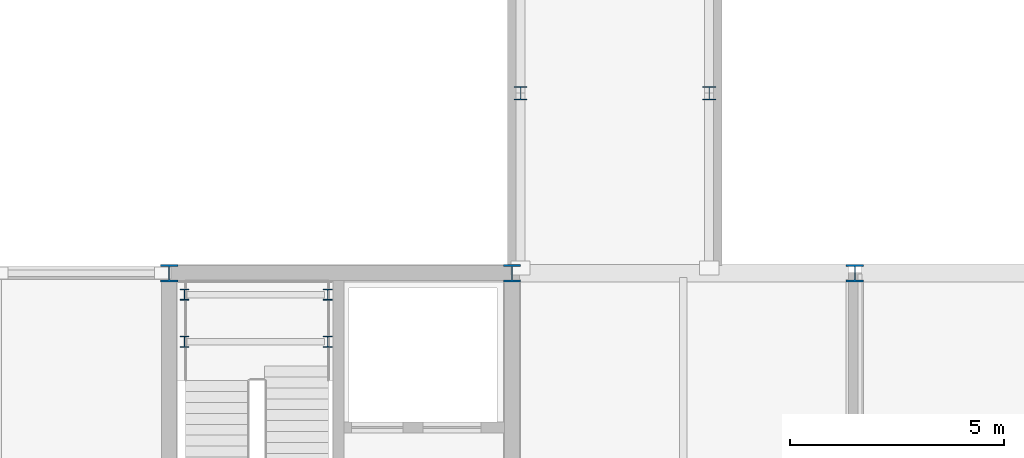
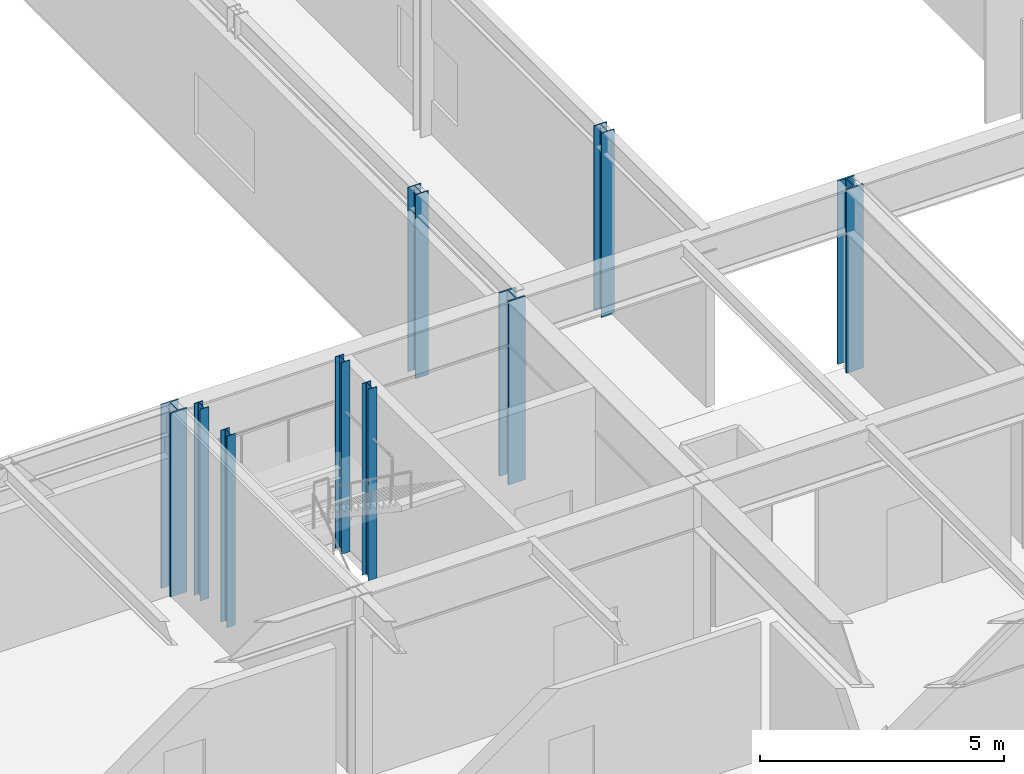
# One storey, part 4 of 104: 9 columns.
"""IFC4 building model written with IfcOpenShell, lengths in metres."""

from ifc_helpers import new_model, si_unit, direction, frame, origin, origin_2d, place, context, subcontext, project, spatial, i_section, extrude, material, material_profile, profile_set, type_object, element, save


model = new_model("IFC4")

# Units and contexts
model_context = context("Model", 3, precision=1e-05, world=origin(), true_north=direction((0.0, 1.0)))
body_context = subcontext(model_context, "Body", "Model", "MODEL_VIEW")
ifc_project = project(units=[si_unit("LENGTHUNIT", "METRE"), si_unit("AREAUNIT", "SQUARE_METRE"), si_unit("VOLUMEUNIT", "CUBIC_METRE"), si_unit("PLANEANGLEUNIT", "RADIAN"), si_unit("MASSUNIT", "GRAM", prefix="KILO")], contexts=[model_context])

# Site, building, storey
site_placement = place(None, origin())
site = spatial("IfcSite", under=ifc_project, at=site_placement, CompositionType="ELEMENT")
building_placement = place(site_placement, origin())
building = spatial("IfcBuilding", under=site, at=building_placement, Name="Zulena Civic Courthouse", CompositionType="ELEMENT")
storey_placement = place(building_placement, frame((0.0, 0.0, 10.800048828125)))
storey = spatial("IfcBuildingStorey", under=building, at=storey_placement, Name="L02", CompositionType="ELEMENT", Elevation=10.800048828125)

# Columns
ifc_material = material(Name="Steel ASTM A992 Grade 50", Category="steel")
ifc_material_profile_1 = material_profile(ifc_material, i_section(OverallWidth=0.2041015625, OverallDepth=0.257080078125, WebThickness=0.0087890625, FlangeThickness=0.015625, FilletRadius=0.0126953125, at=origin_2d()), Name="W10X45")
ifc_profile_set_1 = profile_set([ifc_material_profile_1], Name="Steel ASTM A992 Grade 50")
column_type_1 = type_object("IfcColumnType", Name="Col_W10X45", PredefinedType="COLUMN", material=ifc_profile_set_1)
for number, where, z_axis, x_axis, name in (
    (1, (44.360107421875, 21.199951171875, 0.0), (0.0, 0.0, 1.0), (1.0, 0.0, 0.0), "col:lnd:K2B:L02:0:0"),
    (2, (47.699951171875, 21.199951171875, 0.0), (0.0, 0.0, 1.0), (1.0, 0.0, 0.0), "col:lnd:K2B:L02:0:1"),
    (3, (44.360107421875, 22.300048828125, 0.0), (0.0, 0.0, 1.0), (1.0, 0.0, 0.0), "col:lnd:K2B:L02:1:0"),
    (4, (47.699951171875, 22.300048828125, 0.0), (0.0, 0.0, 1.0), (1.0, 0.0, 0.0), "col:lnd:K2B:L02:1:1"),
):
    element("IfcColumn", number, at=place(storey_placement, frame(where, z_axis=z_axis, x_axis=x_axis)), inside=storey, type_object=column_type_1, Name=name, PredefinedType="COLUMN", context=body_context, shape_type="SweptSolid", body=[
        extrude(i_section(OverallWidth=0.2041015625, OverallDepth=0.257080078125, WebThickness=0.0087890625, FlangeThickness=0.015625, FilletRadius=0.0126953125, at=origin_2d()), origin(), (0.0, 0.0, 1.0), 4.794921875),
    ])
ifc_material_profile_2 = material_profile(ifc_material, i_section(OverallWidth=0.30908203125, OverallDepth=0.322998046875, WebThickness=0.013916015625, FlangeThickness=0.02294921875, FilletRadius=0.01513671875, at=origin_2d()), Name="W12X96")
ifc_profile_set_2 = profile_set([ifc_material_profile_2], Name="Steel ASTM A992 Grade 50")
column_type_2 = type_object("IfcColumnType", Name="Col_W12X96", PredefinedType="COLUMN", material=ifc_profile_set_2)
for number, where, z_axis, x_axis, name in (
    (5, (52.199951171875, 27.0, 0.0), (0.0, 0.0, 1.0), (1.0, 0.0, 0.0), "col:bridge:BR-52C:L02:52.20:27.00"),
    (6, (56.60009765625, 27.0, 0.0), (0.0, 0.0, 1.0), (1.0, 0.0, 0.0), "col:bridge:BR-52C:L02:56.60:27.00"),
):
    element("IfcColumn", number, at=place(storey_placement, frame(where, z_axis=z_axis, x_axis=x_axis)), inside=storey, type_object=column_type_2, Name=name, PredefinedType="COLUMN", context=body_context, shape_type="SweptSolid", body=[
        extrude(i_section(OverallWidth=0.30908203125, OverallDepth=0.322998046875, WebThickness=0.013916015625, FlangeThickness=0.02294921875, FilletRadius=0.01513671875, at=origin_2d()), origin(), (0.0, 0.0, 1.0), 4.60498046875),
    ])
ifc_material_profile_3 = material_profile(ifc_material, i_section(OverallWidth=0.40087890625, OverallDepth=0.39892578125, WebThickness=0.02490234375, FlangeThickness=0.03955078125, FilletRadius=0.01513671875, at=origin_2d()), Name="W14X211")
ifc_profile_set_3 = profile_set([ifc_material_profile_3], Name="Steel ASTM A992 Grade 50")
column_type_3 = type_object("IfcColumnType", Name="Col_W14X211", PredefinedType="COLUMN", material=ifc_profile_set_3)
for number, where, z_axis, x_axis, name in (
    (7, (44.0, 22.800048828125, 0.0), (0.0, 0.0, 1.0), (1.0, 0.0, 0.0), "col:V2:L02:44.0:22.8"),
    (8, (52.0, 22.800048828125, 0.0), (0.0, 0.0, 1.0), (1.0, 0.0, 0.0), "col:V2:L02:52.0:22.8"),
    (9, (60.0, 22.800048828125, 0.0), (0.0, 0.0, 1.0), (1.0, 0.0, 0.0), "col:V2:L02:60.0:22.8"),
):
    element("IfcColumn", number, at=place(storey_placement, frame(where, z_axis=z_axis, x_axis=x_axis)), inside=storey, type_object=column_type_3, Name=name, PredefinedType="COLUMN", context=body_context, shape_type="SweptSolid", body=[
        extrude(i_section(OverallWidth=0.40087890625, OverallDepth=0.39892578125, WebThickness=0.02490234375, FlangeThickness=0.03955078125, FilletRadius=0.01513671875, at=origin_2d()), origin(), (0.0, 0.0, 1.0), 4.58984375),
    ])

save(model, "model.ifc")
